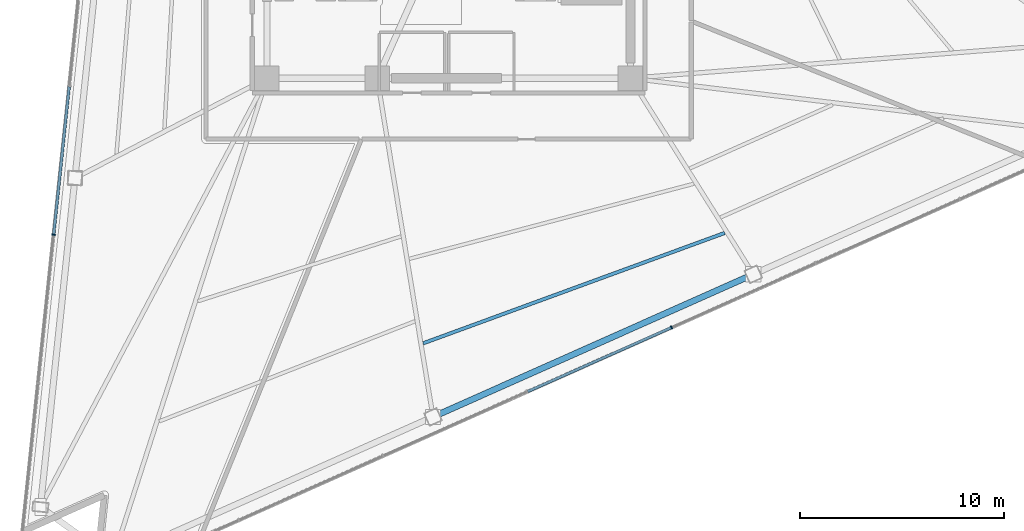
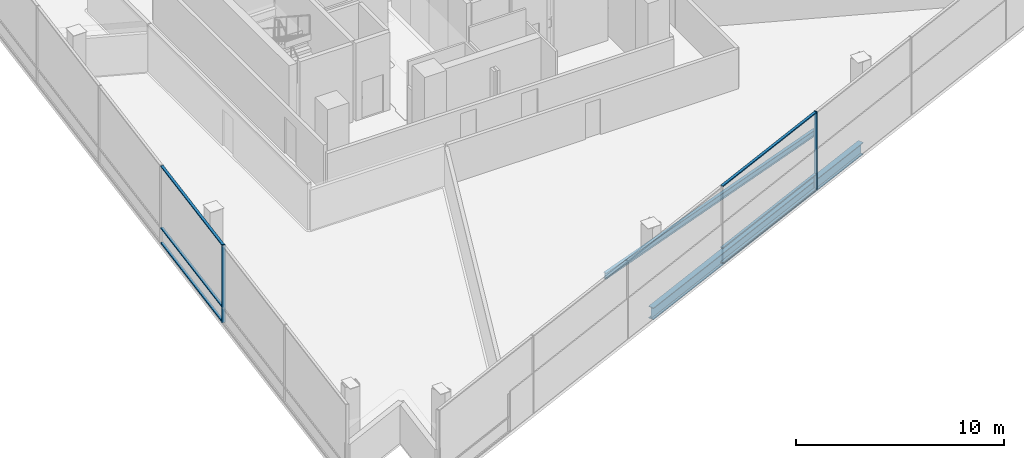
# One storey, part 3 of 18: 8 members, 2 beams, 2 elements without a shape of their own.
"""IFC4 building model written with IfcOpenShell, lengths in metres."""

from ifc_helpers import new_model, si_unit, direction, frame, origin, origin_2d, place, context, subcontext, project, spatial, rectangle, i_section, extrude, material, layer, layer_set, material_profile, profile_set, type_object, element, aggregate, save


model = new_model("IFC4")

# Units and contexts
model_context = context("Model", 3, precision=1e-05, world=origin(), true_north=direction((0.0, 1.0)))
body_context = subcontext(model_context, "Body", "Model", "MODEL_VIEW")
ifc_project = project(units=[si_unit("LENGTHUNIT", "METRE"), si_unit("AREAUNIT", "SQUARE_METRE"), si_unit("VOLUMEUNIT", "CUBIC_METRE"), si_unit("PLANEANGLEUNIT", "RADIAN"), si_unit("MASSUNIT", "GRAM", prefix="KILO")], contexts=[model_context])

# Site, building, storey
site_placement = place(None, origin())
site = spatial("IfcSite", under=ifc_project, at=site_placement, CompositionType="ELEMENT")
building_placement = place(site_placement, origin())
building = spatial("IfcBuilding", under=site, at=building_placement, Name="Tharavind Bronze Gate", CompositionType="ELEMENT")
storey_placement = place(building_placement, frame((0.0, 0.0, 134.050048828125)))
storey = spatial("IfcBuildingStorey", under=building, at=storey_placement, Name="L34", CompositionType="ELEMENT", Elevation=134.050048828125)

# Curtain wall, member
ifc_material_1 = material(Name="Anodised Bronze Aluminium", Category="aluminium")
ifc_layer = layer(ifc_material_1, 0.219970703125)
ifc_layer_set = layer_set([ifc_layer], Name="Anodised Bronze Aluminium")
curtain_wall_type = type_object("IfcCurtainWallType", Name="UNITISED CURTAIN WALL LOWER OFFICE", PredefinedType="USERDEFINED", material=ifc_layer_set)
curtain_wall_1_placement = place(storey_placement, origin())
curtain_wall_1 = element("IfcCurtainWall", 1, at=curtain_wall_1_placement, inside=storey, type_object=curtain_wall_type, Name="L34 unitised curtain wall lower office CW-L34-S1", ObjectType="UNITISED CURTAIN WALL", PredefinedType="USERDEFINED")
member_type_1 = type_object("IfcMemberType", Name="CURTAIN WALL BRONZE MULLION 65X180", PredefinedType="MULLION", material=ifc_material_1)
member_1_placement = place(storey_placement, frame((-19.349853515625, -15.2646484375, 0.0), z_axis=(0.0, 0.0, 1.0), x_axis=(-0.104526727499, -0.994522077803, 0.0)))
member_1 = element("IfcMember", 2, at=member_1_placement, type_object=member_type_1, Name="CW-L34-S1 mullion 6", PredefinedType="MULLION", context=body_context, shape_type="SweptSolid", body=[
    extrude(rectangle(XDim=0.06494140625, YDim=0.179931640625, at=origin_2d()), origin(), (0.0, 0.0, 1.0), 4.56005859375),
])

curtain_wall_2_placement = place(storey_placement, origin())
curtain_wall_2 = element("IfcCurtainWall", 3, at=curtain_wall_2_placement, inside=storey, type_object=curtain_wall_type, Name="L34 unitised curtain wall lower office CW-L34-S2", ObjectType="UNITISED CURTAIN WALL", PredefinedType="USERDEFINED")
member_2_placement = place(storey_placement, frame((10.913330078125, -19.80859375, 0.0), z_axis=(0.0, 0.0, 1.0), x_axis=(0.913545457643, 0.406736643076, 0.0)))
member_2 = element("IfcMember", 4, at=member_2_placement, type_object=member_type_1, Name="CW-L34-S2 mullion 5", PredefinedType="MULLION", context=body_context, shape_type="SweptSolid", body=[
    extrude(rectangle(XDim=0.06494140625, YDim=0.179931640625, at=origin_2d()), origin(), (0.0, 0.0, 1.0), 4.56005859375),
])

# Member
member_type_2 = type_object("IfcMemberType", Name="CURTAIN WALL BRONZE TRANSOM 65X140", PredefinedType="USERDEFINED", material=ifc_material_1)
member_3_placement = place(storey_placement, frame((-18.967529296875, -11.628173828125, 0.0), z_axis=(0.0, 0.0, 1.0), x_axis=(-0.104526727499, -0.994522077803, 0.0)))
member_3 = element("IfcMember", 5, at=member_3_placement, type_object=member_type_2, Name="CW-L34-S1 transom TB5", ObjectType="TRANSOM", PredefinedType="USERDEFINED", context=body_context, shape_type="SweptSolid", body=[
    extrude(rectangle(XDim=7.26025390625, YDim=0.139892578125, at=origin_2d()), origin(), (0.0, 0.0, 1.0), 0.06494140625),
])

member_4_placement = place(storey_placement, frame((-18.967529296875, -11.628173828125, 0.867431640625), z_axis=(0.0, 0.0, 1.0), x_axis=(-0.104526727499, -0.994522077803, 0.0)))
member_4 = element("IfcMember", 6, at=member_4_placement, type_object=member_type_2, Name="CW-L34-S1 transom TS5", ObjectType="TRANSOM", PredefinedType="USERDEFINED", context=body_context, shape_type="SweptSolid", body=[
    extrude(rectangle(XDim=7.26025390625, YDim=0.139892578125, at=origin_2d()), origin(), (0.0, 0.0, 1.0), 0.06494140625),
])

member_5_placement = place(storey_placement, frame((-18.967529296875, -11.628173828125, 4.494873046875), z_axis=(0.0, 0.0, 1.0), x_axis=(-0.104526727499, -0.994522077803, 0.0)))
member_5 = element("IfcMember", 7, at=member_5_placement, type_object=member_type_2, Name="CW-L34-S1 transom TT5", ObjectType="TRANSOM", PredefinedType="USERDEFINED", context=body_context, shape_type="SweptSolid", body=[
    extrude(rectangle(XDim=7.26025390625, YDim=0.139892578125, at=origin_2d()), origin(), (0.0, 0.0, 1.0), 0.06494140625),
])

aggregate(curtain_wall_1, [member_1, member_3, member_4, member_5])

member_6_placement = place(storey_placement, frame((7.38232421875, -21.380859375, 0.0), z_axis=(0.0, 0.0, 1.0), x_axis=(0.913545457643, 0.406736643076, 0.0)))
member_6 = element("IfcMember", 8, at=member_6_placement, type_object=member_type_2, Name="CW-L34-S2 transom TB4", ObjectType="TRANSOM", PredefinedType="USERDEFINED", context=body_context, shape_type="SweptSolid", body=[
    extrude(rectangle(XDim=7.677490234375, YDim=0.139892578125, at=origin_2d()), origin(), (0.0, 0.0, 1.0), 0.06494140625),
])

member_7_placement = place(storey_placement, frame((7.38232421875, -21.380859375, 0.867431640625), z_axis=(0.0, 0.0, 1.0), x_axis=(0.913545457643, 0.406736643076, 0.0)))
member_7 = element("IfcMember", 9, at=member_7_placement, type_object=member_type_2, Name="CW-L34-S2 transom TS4", ObjectType="TRANSOM", PredefinedType="USERDEFINED", context=body_context, shape_type="SweptSolid", body=[
    extrude(rectangle(XDim=7.677490234375, YDim=0.139892578125, at=origin_2d()), origin(), (0.0, 0.0, 1.0), 0.06494140625),
])

member_8_placement = place(storey_placement, frame((7.38232421875, -21.380859375, 4.494873046875), z_axis=(0.0, 0.0, 1.0), x_axis=(0.913545457643, 0.406736643076, 0.0)))
member_8 = element("IfcMember", 10, at=member_8_placement, type_object=member_type_2, Name="CW-L34-S2 transom TT4", ObjectType="TRANSOM", PredefinedType="USERDEFINED", context=body_context, shape_type="SweptSolid", body=[
    extrude(rectangle(XDim=7.677490234375, YDim=0.139892578125, at=origin_2d()), origin(), (0.0, 0.0, 1.0), 0.06494140625),
])

aggregate(curtain_wall_2, [member_2, member_6, member_7, member_8])

# Beams
ifc_material_2 = material(Name="Steel S355", Category="steel")
ifc_material_profile_1 = material_profile(ifc_material_2, i_section(OverallWidth=0.300048828125, OverallDepth=0.699951171875, WebThickness=0.01708984375, FlangeThickness=0.031982421875, at=origin_2d()), Name="HE700B")
ifc_profile_set_1 = profile_set([ifc_material_profile_1], Name="Steel S355")
beam_type_1 = type_object("IfcBeamType", Name="RING GIRDER HE700B", PredefinedType="USERDEFINED", material=ifc_profile_set_1)
beam_1_placement = place(storey_placement, frame((-0.766357421875, -24.18798828125, -0.5400390625), z_axis=(0.913546351362, 0.406734635744, 0.0), x_axis=(-0.406734635744, 0.913546351362, 0.0)))
element("IfcBeam", 11, at=beam_1_placement, inside=storey, type_object=beam_type_1, Name="L34 ring girder he700b BM-L34-PRG06", ObjectType="GIRDER", PredefinedType="USERDEFINED", context=body_context, shape_type="SweptSolid", body=[
    extrude(i_section(OverallWidth=0.300048828125, OverallDepth=0.699951171875, WebThickness=0.01708984375, FlangeThickness=0.031982421875, at=origin_2d()), origin(), (0.0, 0.0, 1.0), 17.171875),
])
ifc_material_profile_2 = material_profile(ifc_material_2, i_section(OverallWidth=0.169921875, OverallDepth=0.360107421875, WebThickness=0.008056640625, FlangeThickness=0.0126953125, at=origin_2d()), Name="IPE360")
ifc_profile_set_2 = profile_set([ifc_material_profile_2], Name="Steel S355")
beam_type_2 = type_object("IfcBeamType", Name="SECONDARY FLOOR JOIST IPE360", PredefinedType="JOIST", material=ifc_profile_set_2)
beam_2_placement = place(storey_placement, frame((-1.25, -20.58349609375, -0.3701171875), z_axis=(0.939077650043, 0.343705058428, 0.0), x_axis=(-0.343705058428, 0.939077650043, 0.0)))
element("IfcBeam", 12, at=beam_2_placement, inside=storey, type_object=beam_type_2, Name="L34 secondary floor joist ipe360 BM-L34-JSTB06", PredefinedType="JOIST", context=body_context, shape_type="SweptSolid", body=[
    extrude(i_section(OverallWidth=0.169921875, OverallDepth=0.360107421875, WebThickness=0.008056640625, FlangeThickness=0.0126953125, at=origin_2d()), origin(), (0.0, 0.0, 1.0), 15.72998046875),
])

save(model, "model.ifc")
